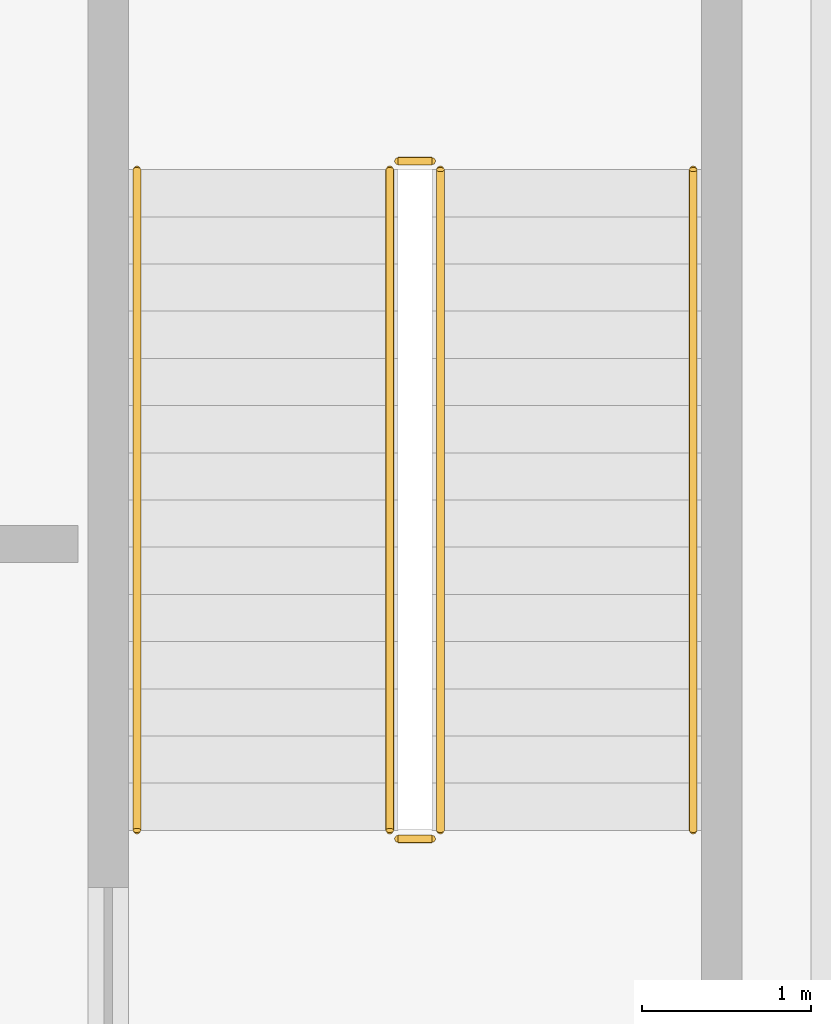
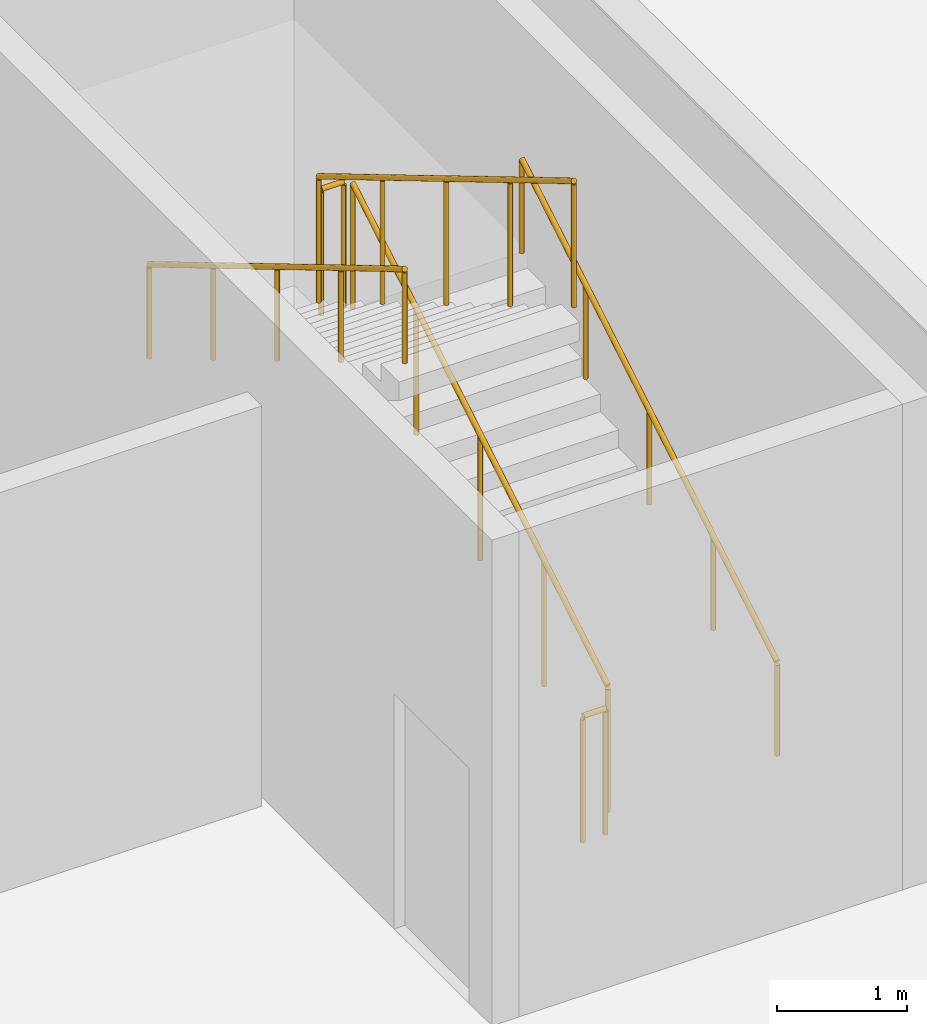
# One storey, part 29 of 30: 6 railings.
"""IFC4 building model written with IfcOpenShell, lengths in metres."""

from ifc_helpers import new_model, si_unit, direction, frame, origin, origin_2d, place, context, subcontext, project, spatial, circle, extrude, material, type_object, element, save


model = new_model("IFC4")

# Units and contexts
model_context = context("Model", 3, precision=1e-05, world=origin(), true_north=direction((0.0, 1.0)))
body_context = subcontext(model_context, "Body", "Model", "MODEL_VIEW")
ifc_project = project(units=[si_unit("LENGTHUNIT", "METRE"), si_unit("AREAUNIT", "SQUARE_METRE"), si_unit("VOLUMEUNIT", "CUBIC_METRE"), si_unit("PLANEANGLEUNIT", "RADIAN"), si_unit("MASSUNIT", "GRAM", prefix="KILO")], contexts=[model_context])

# Site, building, storey
site_placement = place(None, origin())
site = spatial("IfcSite", under=ifc_project, at=site_placement, CompositionType="ELEMENT")
building_placement = place(site_placement, origin())
building = spatial("IfcBuilding", under=site, at=building_placement, Name="Calvorn Quay Hotel", CompositionType="ELEMENT")
storey_placement = place(building_placement, frame((0.0, 0.0, 17.0)))
storey = spatial("IfcBuildingStorey", under=building, at=storey_placement, Name="L03", CompositionType="ELEMENT", Elevation=17.0)

# Railings
ifc_material_1 = material(Name="Brushed Stainless Steel Handrail", Category="steel")
railing_type_1 = type_object("IfcRailingType", Name="RLG-HANDRAIL-900", PredefinedType="HANDRAIL", material=ifc_material_1)
railing_1_placement = place(storey_placement, frame((56.75, 45.800048828125, 0.166748046875)))
element("IfcRailing", 1, at=railing_1_placement, inside=storey, type_object=railing_type_1, Name="L03 ST-P1 stair handrail 1", PredefinedType="HANDRAIL", context=body_context, shape_type="SweptSolid", body=[
    extrude(circle(Radius=0.02392578125, at=origin_2d()), frame((0.0, 0.0, 0.8759765625), z_axis=(0.0, 0.859296244711, 0.511478214419), x_axis=(-1.0, 0.0, 0.0)), (0.0, 0.0, 1.0), 4.561767578125),
    extrude(circle(Radius=0.02099609375, at=origin_2d()), origin(), (0.0, 0.0, 1.0), 0.851806640625),
    extrude(circle(Radius=0.02099609375, at=origin_2d()), frame((0.0, 0.97998046875, 0.583251953125)), (0.0, 0.0, 1.0), 0.851806640625),
    extrude(circle(Radius=0.02099609375, at=origin_2d()), frame((0.0, 1.9599609375, 1.16650390625)), (0.0, 0.0, 1.0), 0.851806640625),
    extrude(circle(Radius=0.02099609375, at=origin_2d()), frame((0.0, 2.93994140625, 1.75)), (0.0, 0.0, 1.0), 0.851806640625),
    extrude(circle(Radius=0.02099609375, at=origin_2d()), frame((0.0, 3.919921875, 2.333251953125)), (0.0, 0.0, 1.0), 0.851806640625),
])
railing_2_placement = place(storey_placement, frame((53.449951171875, 49.719970703125, 2.666748046875)))
element("IfcRailing", 2, at=railing_2_placement, inside=storey, type_object=railing_type_1, Name="L03 ST-P1 stair handrail 2", PredefinedType="HANDRAIL", context=body_context, shape_type="SweptSolid", body=[
    extrude(circle(Radius=0.02392578125, at=origin_2d()), frame((0.0, 0.0, 0.8759765625), z_axis=(0.0, -0.859296244711, 0.511478214419), x_axis=(1.0, 0.0, 0.0)), (0.0, 0.0, 1.0), 4.561767578125),
    extrude(circle(Radius=0.02099609375, at=origin_2d()), origin(), (0.0, 0.0, 1.0), 0.851806640625),
    extrude(circle(Radius=0.02099609375, at=origin_2d()), frame((0.0, -0.97998046875, 0.583251953125)), (0.0, 0.0, 1.0), 0.851806640625),
    extrude(circle(Radius=0.02099609375, at=origin_2d()), frame((0.0, -1.9599609375, 1.16650390625)), (0.0, 0.0, 1.0), 0.851806640625),
    extrude(circle(Radius=0.02099609375, at=origin_2d()), frame((0.0, -2.93994140625, 1.75)), (0.0, 0.0, 1.0), 0.851806640625),
    extrude(circle(Radius=0.02099609375, at=origin_2d()), frame((0.0, -3.919921875, 2.333251953125)), (0.0, 0.0, 1.0), 0.851806640625),
])
ifc_material_2 = material(Name="Painted Galvanised Steel Balustrade", Category="steel")
railing_type_2 = type_object("IfcRailingType", Name="RLG-STAIR-GUARD-1120", PredefinedType="GUARDRAIL", material=ifc_material_2)
railing_3_placement = place(storey_placement, frame((55.25, 45.800048828125, 0.166748046875)))
element("IfcRailing", 3, at=railing_3_placement, inside=storey, type_object=railing_type_2, Name="L03 ST-P1 stair guard 1", PredefinedType="GUARDRAIL", context=body_context, shape_type="SweptSolid", body=[
    extrude(circle(Radius=0.02392578125, at=origin_2d()), frame((0.0, 0.0, 1.17578125), z_axis=(0.0, 0.859296244711, 0.511478214419), x_axis=(-1.0, 0.0, 0.0)), (0.0, 0.0, 1.0), 4.561767578125),
    extrude(circle(Radius=0.02099609375, at=origin_2d()), origin(), (0.0, 0.0, 1.0), 1.15185546875),
    extrude(circle(Radius=0.02099609375, at=origin_2d()), frame((0.0, 0.97998046875, 0.583251953125)), (0.0, 0.0, 1.0), 1.15185546875),
    extrude(circle(Radius=0.02099609375, at=origin_2d()), frame((0.0, 1.9599609375, 1.16650390625)), (0.0, 0.0, 1.0), 1.15185546875),
    extrude(circle(Radius=0.02099609375, at=origin_2d()), frame((0.0, 2.93994140625, 1.75)), (0.0, 0.0, 1.0), 1.15185546875),
    extrude(circle(Radius=0.02099609375, at=origin_2d()), frame((0.0, 3.919921875, 2.333251953125)), (0.0, 0.0, 1.0), 1.15185546875),
])
railing_4_placement = place(storey_placement, frame((55.199951171875, 49.77001953125, 2.5)))
element("IfcRailing", 4, at=railing_4_placement, inside=storey, type_object=railing_type_2, Name="L03 ST-P1 stair guard 2", PredefinedType="GUARDRAIL", context=body_context, shape_type="SweptSolid", body=[
    extrude(circle(Radius=0.02392578125, at=origin_2d()), frame((0.0, 0.0, 1.17578125), z_axis=(-1.0, 0.0, 0.0), x_axis=(0.0, -1.0, 0.0)), (0.0, 0.0, 1.0), 0.199951171875),
    extrude(circle(Radius=0.02099609375, at=origin_2d()), origin(), (0.0, 0.0, 1.0), 1.15185546875),
    extrude(circle(Radius=0.02099609375, at=origin_2d()), frame((-0.199951171875, 0.0, 0.0)), (0.0, 0.0, 1.0), 1.15185546875),
])
railing_5_placement = place(storey_placement, frame((54.949951171875, 49.719970703125, 2.666748046875)))
element("IfcRailing", 5, at=railing_5_placement, inside=storey, type_object=railing_type_2, Name="L03 ST-P1 stair guard 3", PredefinedType="GUARDRAIL", context=body_context, shape_type="SweptSolid", body=[
    extrude(circle(Radius=0.02392578125, at=origin_2d()), frame((0.0, 0.0, 1.17578125), z_axis=(0.0, -0.859296244711, 0.511478214419), x_axis=(1.0, 0.0, 0.0)), (0.0, 0.0, 1.0), 4.561767578125),
    extrude(circle(Radius=0.02099609375, at=origin_2d()), origin(), (0.0, 0.0, 1.0), 1.15185546875),
    extrude(circle(Radius=0.02099609375, at=origin_2d()), frame((0.0, -0.97998046875, 0.583251953125)), (0.0, 0.0, 1.0), 1.15185546875),
    extrude(circle(Radius=0.02099609375, at=origin_2d()), frame((0.0, -1.9599609375, 1.16650390625)), (0.0, 0.0, 1.0), 1.15185546875),
    extrude(circle(Radius=0.02099609375, at=origin_2d()), frame((0.0, -2.93994140625, 1.75)), (0.0, 0.0, 1.0), 1.15185546875),
    extrude(circle(Radius=0.02099609375, at=origin_2d()), frame((0.0, -3.919921875, 2.333251953125)), (0.0, 0.0, 1.0), 1.15185546875),
])
railing_6_placement = place(storey_placement, frame((55.199951171875, 45.75, 0.0)))
element("IfcRailing", 6, at=railing_6_placement, inside=storey, type_object=railing_type_2, Name="L03 ST-P1 stair guard 4", PredefinedType="GUARDRAIL", context=body_context, shape_type="SweptSolid", body=[
    extrude(circle(Radius=0.02392578125, at=origin_2d()), frame((0.0, 0.0, 1.17578125), z_axis=(-1.0, 0.0, 0.0), x_axis=(0.0, -1.0, 0.0)), (0.0, 0.0, 1.0), 0.199951171875),
    extrude(circle(Radius=0.02099609375, at=origin_2d()), origin(), (0.0, 0.0, 1.0), 1.15185546875),
    extrude(circle(Radius=0.02099609375, at=origin_2d()), frame((-0.199951171875, 0.0, 0.0)), (0.0, 0.0, 1.0), 1.15185546875),
])

save(model, "model.ifc")
